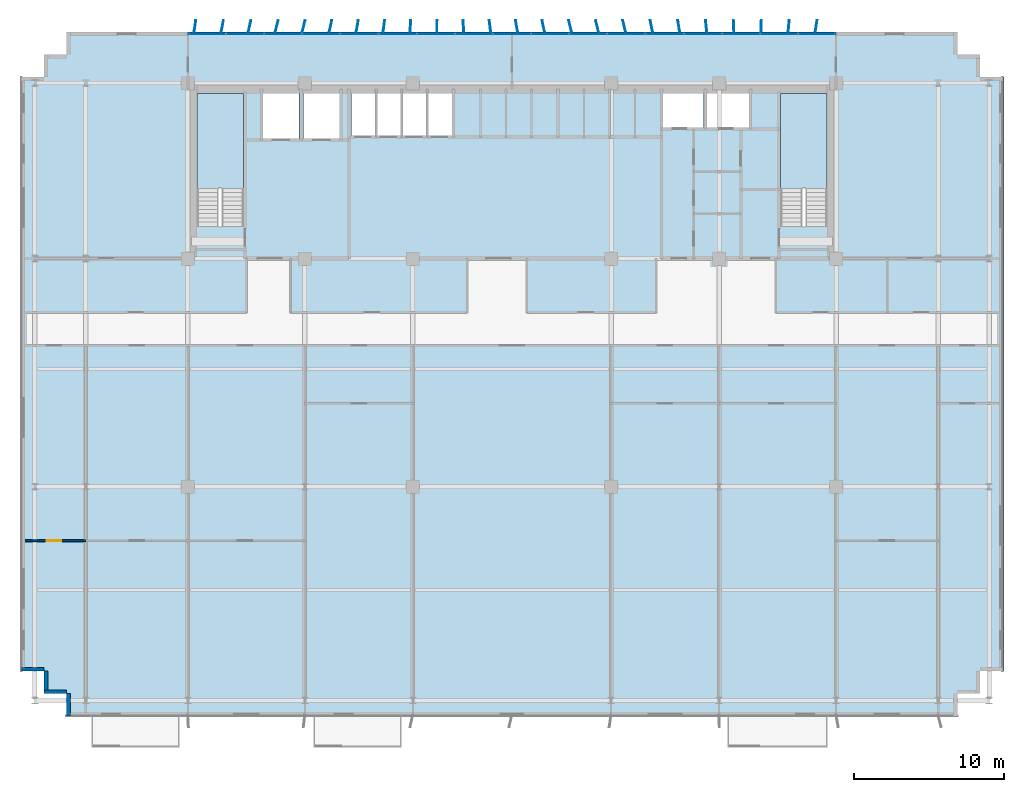
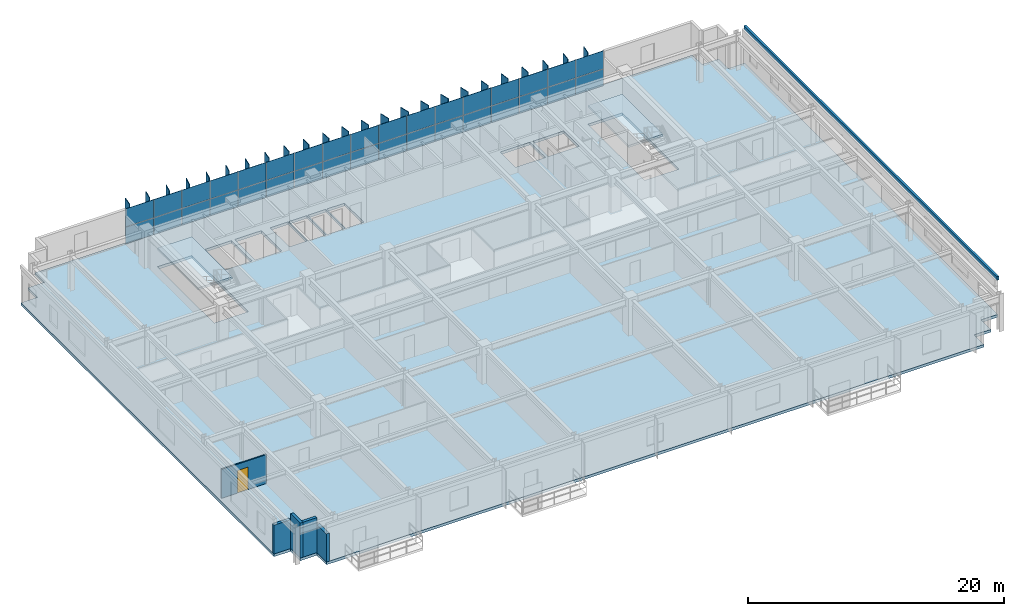
# One storey, part 14 of 21: 59 plates, 5 walls, 3 slabs, 1 door, 1 opening, 3 elements without a shape of their own.
"""IFC4 building model written with IfcOpenShell, lengths in metres."""

from ifc_helpers import new_model, si_unit, direction, frame, frame_2d, origin, origin_2d, place, context, subcontext, project, spatial, polyline, rectangle, outline, extrude, source, transform, mapped, material, layer, layer_set, type_object, element, fill, aggregate, save


model = new_model("IFC4")

# Units and contexts
model_context = context("Model", 3, precision=1e-05, world=origin(), true_north=direction((0.0, 1.0)))
body_context = subcontext(model_context, "Body", "Model", "MODEL_VIEW")
ifc_project = project(units=[si_unit("LENGTHUNIT", "METRE"), si_unit("AREAUNIT", "SQUARE_METRE"), si_unit("VOLUMEUNIT", "CUBIC_METRE"), si_unit("PLANEANGLEUNIT", "RADIAN"), si_unit("MASSUNIT", "GRAM", prefix="KILO")], contexts=[model_context])

# Site, building, storey
site_placement = place(None, origin())
site = spatial("IfcSite", under=ifc_project, at=site_placement, CompositionType="ELEMENT")
building_placement = place(site_placement, origin())
building = spatial("IfcBuilding", under=site, at=building_placement, Name="Trelvane Seafront Commons", CompositionType="ELEMENT")
storey_placement = place(building_placement, frame((0.0, 0.0, 34.300048828125)))
storey = spatial("IfcBuildingStorey", under=building, at=storey_placement, Name="L08", CompositionType="ELEMENT", Elevation=34.300048828125)

# Stair, slab
ifc_material_1 = material(Name="Concrete C40/50", Category="concrete")
stair_type_1 = type_object("IfcStairType", Name="ARCH-STR-ST-1-R20-180", PredefinedType="HALF_TURN_STAIR", material=ifc_material_1)
stair_1_placement = place(storey_placement, origin())
stair_1 = element("IfcStair", 1, at=stair_1_placement, inside=storey, type_object=stair_type_1, Name="L08 West Protected Firefighting Exit Stair ST-1", PredefinedType="HALF_TURN_STAIR")
ifc_layer_1 = layer(ifc_material_1, 0.199951171875, Name="ARCH-LND-200")
ifc_layer_set_1 = layer_set([ifc_layer_1], Name="Concrete C40/50")
slab_type_1 = type_object("IfcSlabType", Name="ARCH-LND-200", PredefinedType="LANDING", material=ifc_layer_set_1)
slab_1_placement = place(storey_placement, frame((0.0, 0.0, 1.599853515625)))
slab_1 = element("IfcSlab", 2, at=slab_1_placement, type_object=slab_type_1, Name="ST-1 landing 1", PredefinedType="LANDING", context=body_context, shape_type="SweptSolid", body=[
    extrude(outline(polyline([(19.300048828125, 38.070068359375), (19.300048828125, 44.39990234375), (16.199951171875, 44.39990234375), (16.199951171875, 38.070068359375), (19.300048828125, 38.070068359375)])), origin(), (0.0, 0.0, 1.0), 0.2001953125),
])
aggregate(stair_1, [slab_1])

stair_type_2 = type_object("IfcStairType", Name="ARCH-STR-ST-2-R20-180", PredefinedType="HALF_TURN_STAIR", material=ifc_material_1)
stair_2_placement = place(storey_placement, origin())
stair_2 = element("IfcStair", 3, at=stair_2_placement, inside=storey, type_object=stair_type_2, Name="L08 East Protected Firefighting Exit Stair ST-2", PredefinedType="HALF_TURN_STAIR")
slab_2_placement = place(storey_placement, frame((0.0, 0.0, 1.599853515625)))
slab_2 = element("IfcSlab", 4, at=slab_2_placement, type_object=slab_type_1, Name="ST-2 landing 1", PredefinedType="LANDING", context=body_context, shape_type="SweptSolid", body=[
    extrude(outline(polyline([(58.199951171875, 38.070068359375), (58.199951171875, 44.39990234375), (55.10009765625, 44.39990234375), (55.10009765625, 38.070068359375), (58.199951171875, 38.070068359375)])), origin(), (0.0, 0.0, 1.0), 0.2001953125),
])
aggregate(stair_2, [slab_2])

# Slab
ifc_material_2 = material(Name="Concrete C50/60", Category="concrete")
ifc_layer_2 = layer(ifc_material_2, 0.260009765625, Name="STR-SLB-Z1-260")
ifc_layer_set_2 = layer_set([ifc_layer_2], Name="Concrete C50/60")
slab_type_2 = type_object("IfcSlabType", Name="STR-SLB-Z1-260", PredefinedType="FLOOR", material=ifc_layer_set_2)
slab_3_placement = place(storey_placement, frame((0.0, 0.0, -0.260009765625)))
element("IfcSlab", 5, at=slab_3_placement, inside=storey, type_object=slab_type_2, Name="L08 Structural Floor Slab", PredefinedType="FLOOR", context=body_context, shape_type="SweptSolid", body=[
    extrude(outline(polyline([(7.5, 2.89990234375), (66.89990234375, 2.89990234375), (66.89990234375, 4.39990234375), (68.39990234375, 4.39990234375), (68.39990234375, 5.89990234375), (69.89990234375, 5.89990234375), (69.89990234375, 45.5), (68.39990234375, 45.5), (68.39990234375, 47.0), (66.89990234375, 47.0), (66.89990234375, 48.5), (7.5, 48.5), (7.5, 47.0), (6.0, 47.0), (6.0, 45.5), (4.5, 45.5), (4.5, 5.89990234375), (6.0, 5.89990234375), (6.0, 4.39990234375), (7.5, 4.39990234375), (7.5, 2.89990234375)]), holes=[polyline([(19.300048828125, 35.550048828125), (16.199951171875, 35.550048828125), (16.199951171875, 44.39990234375), (19.300048828125, 44.39990234375), (19.300048828125, 35.550048828125)]), polyline([(58.199951171875, 35.550048828125), (55.10009765625, 35.550048828125), (55.10009765625, 44.39990234375), (58.199951171875, 44.39990234375), (58.199951171875, 35.550048828125)]), polyline([(23.0, 41.39990234375), (20.60009765625, 41.39990234375), (20.60009765625, 44.60009765625), (23.0, 44.60009765625), (23.0, 41.39990234375)]), polyline([(23.300048828125, 41.39990234375), (23.300048828125, 44.60009765625), (25.699951171875, 44.60009765625), (25.699951171875, 41.39990234375), (23.300048828125, 41.39990234375)]), polyline([(26.5, 41.60009765625), (26.5, 44.60009765625), (28.1201171875, 44.60009765625), (28.1201171875, 41.60009765625), (26.5, 41.60009765625)]), polyline([(29.820068359375, 41.60009765625), (28.199951171875, 41.60009765625), (28.199951171875, 44.60009765625), (29.820068359375, 44.60009765625), (29.820068359375, 41.60009765625)]), polyline([(31.52001953125, 41.60009765625), (29.89990234375, 41.60009765625), (29.89990234375, 44.60009765625), (31.52001953125, 44.60009765625), (31.52001953125, 41.60009765625)]), polyline([(33.219970703125, 41.60009765625), (31.60009765625, 41.60009765625), (31.60009765625, 44.60009765625), (33.219970703125, 44.60009765625), (33.219970703125, 41.60009765625)]), polyline([(47.25, 42.14990234375), (47.25, 44.550048828125), (49.949951171875, 44.550048828125), (49.949951171875, 42.14990234375), (47.25, 42.14990234375)]), polyline([(50.199951171875, 42.14990234375), (50.199951171875, 44.550048828125), (53.0, 44.550048828125), (53.0, 42.14990234375), (50.199951171875, 42.14990234375)])]), origin(), (0.0, 0.0, 1.0), 0.260009765625),
])

# Curtain wall, plates
ifc_material_3 = material(Name="Anodised pale-silver aluminium", Category="aluminium")
curtain_wall_type = type_object("IfcCurtainWallType", Name="ARCH-CW2-LOWTOWER", PredefinedType="NOTDEFINED", material=ifc_material_3)
curtain_wall_placement = place(storey_placement, origin())
curtain_wall = element("IfcCurtainWall", 6, at=curtain_wall_placement, inside=storey, type_object=curtain_wall_type, Name="CW-L08-0032", PredefinedType="NOTDEFINED")
ifc_material_4 = material(Name="Low-E coastal double glazing", Category="glass")
ifc_layer_3 = layer(ifc_material_4, 0.033935546875, Name="ARCH-CW-GLAZ-34")
ifc_layer_set_3 = layer_set([ifc_layer_3], Name="Low-E coastal double glazing")
plate_type_1 = type_object("IfcPlateType", Name="ARCH-CW-GLAZ-34", PredefinedType="CURTAIN_PANEL", material=ifc_layer_set_3)
shared_shape_1 = source(origin(), body_context, "Body", "SweptSolid", [
    extrude(rectangle(XDim=2.51708984375, YDim=0.031982421875, at=origin_2d()), origin(), (0.0, 0.0, 1.0), 1.5849609375),
])
plate_1_placement = place(storey_placement, frame((16.87060546875, 48.3701171875, 0.0), z_axis=(0.0, 0.0, 1.0), x_axis=(1.0, 0.0, 0.0)))
plate_1 = element("IfcPlate", 7, at=plate_1_placement, type_object=plate_type_1, Name="CW-L08-0032-P00-1", PredefinedType="CURTAIN_PANEL", context=body_context, shape_type="MappedRepresentation", body=[
    mapped(shared_shape_1, transform((0.0, 0.0, 0.0), x_axis=(1.0, 0.0, 0.0), y_axis=(0.0, 1.0, 0.0), z_axis=(0.0, 0.0, 1.0), scale=1.0)),
])
plate_2_placement = place(storey_placement, frame((19.411865234375, 48.3701171875, 0.0), z_axis=(0.0, 0.0, 1.0), x_axis=(1.0, 0.0, 0.0)))
plate_2 = element("IfcPlate", 8, at=plate_2_placement, type_object=plate_type_1, Name="CW-L08-0032-P01-1", PredefinedType="CURTAIN_PANEL", context=body_context, shape_type="MappedRepresentation", body=[
    mapped(shared_shape_1, transform((0.0, 0.0, 0.0), x_axis=(1.0, 0.0, 0.0), y_axis=(0.0, 1.0, 0.0), z_axis=(0.0, 0.0, 1.0), scale=1.0)),
])
plate_3_placement = place(storey_placement, frame((21.952880859375, 48.3701171875, 0.0), z_axis=(0.0, 0.0, 1.0), x_axis=(1.0, 0.0, 0.0)))
plate_3 = element("IfcPlate", 9, at=plate_3_placement, type_object=plate_type_1, Name="CW-L08-0032-P02-1", PredefinedType="CURTAIN_PANEL", context=body_context, shape_type="MappedRepresentation", body=[
    mapped(shared_shape_1, transform((0.0, 0.0, 0.0), x_axis=(1.0, 0.0, 0.0), y_axis=(0.0, 1.0, 0.0), z_axis=(0.0, 0.0, 1.0), scale=1.0)),
])
plate_4_placement = place(storey_placement, frame((24.494140625, 48.3701171875, 0.0), z_axis=(0.0, 0.0, 1.0), x_axis=(1.0, 0.0, 0.0)))
plate_4 = element("IfcPlate", 10, at=plate_4_placement, type_object=plate_type_1, Name="CW-L08-0032-P03-1", PredefinedType="CURTAIN_PANEL", context=body_context, shape_type="MappedRepresentation", body=[
    mapped(shared_shape_1, transform((0.0, 0.0, 0.0), x_axis=(1.0, 0.0, 0.0), y_axis=(0.0, 1.0, 0.0), z_axis=(0.0, 0.0, 1.0), scale=1.0)),
])
plate_5_placement = place(storey_placement, frame((27.035400390625, 48.3701171875, 0.0), z_axis=(0.0, 0.0, 1.0), x_axis=(1.0, 0.0, 0.0)))
plate_5 = element("IfcPlate", 11, at=plate_5_placement, type_object=plate_type_1, Name="CW-L08-0032-P04-1", PredefinedType="CURTAIN_PANEL", context=body_context, shape_type="MappedRepresentation", body=[
    mapped(shared_shape_1, transform((0.0, 0.0, 0.0), x_axis=(1.0, 0.0, 0.0), y_axis=(0.0, 1.0, 0.0), z_axis=(0.0, 0.0, 1.0), scale=1.0)),
])
plate_6_placement = place(storey_placement, frame((29.576416015625, 48.3701171875, 0.0), z_axis=(0.0, 0.0, 1.0), x_axis=(1.0, 0.0, 0.0)))
plate_6 = element("IfcPlate", 12, at=plate_6_placement, type_object=plate_type_1, Name="CW-L08-0032-P05-1", PredefinedType="CURTAIN_PANEL", context=body_context, shape_type="MappedRepresentation", body=[
    mapped(shared_shape_1, transform((0.0, 0.0, 0.0), x_axis=(1.0, 0.0, 0.0), y_axis=(0.0, 1.0, 0.0), z_axis=(0.0, 0.0, 1.0), scale=1.0)),
])
plate_7_placement = place(storey_placement, frame((32.11767578125, 48.3701171875, 0.0), z_axis=(0.0, 0.0, 1.0), x_axis=(1.0, 0.0, 0.0)))
plate_7 = element("IfcPlate", 13, at=plate_7_placement, type_object=plate_type_1, Name="CW-L08-0032-P06-1", PredefinedType="CURTAIN_PANEL", context=body_context, shape_type="MappedRepresentation", body=[
    mapped(shared_shape_1, transform((0.0, 0.0, 0.0), x_axis=(1.0, 0.0, 0.0), y_axis=(0.0, 1.0, 0.0), z_axis=(0.0, 0.0, 1.0), scale=1.0)),
])
plate_8_placement = place(storey_placement, frame((34.65869140625, 48.3701171875, 0.0), z_axis=(0.0, 0.0, 1.0), x_axis=(1.0, 0.0, 0.0)))
plate_8 = element("IfcPlate", 14, at=plate_8_placement, type_object=plate_type_1, Name="CW-L08-0032-P07-1", PredefinedType="CURTAIN_PANEL", context=body_context, shape_type="MappedRepresentation", body=[
    mapped(shared_shape_1, transform((0.0, 0.0, 0.0), x_axis=(1.0, 0.0, 0.0), y_axis=(0.0, 1.0, 0.0), z_axis=(0.0, 0.0, 1.0), scale=1.0)),
])
plate_9_placement = place(storey_placement, frame((37.199951171875, 48.3701171875, 0.0), z_axis=(0.0, 0.0, 1.0), x_axis=(1.0, 0.0, 0.0)))
plate_9 = element("IfcPlate", 15, at=plate_9_placement, type_object=plate_type_1, Name="CW-L08-0032-P08-1", PredefinedType="CURTAIN_PANEL", context=body_context, shape_type="MappedRepresentation", body=[
    mapped(shared_shape_1, transform((0.0, 0.0, 0.0), x_axis=(1.0, 0.0, 0.0), y_axis=(0.0, 1.0, 0.0), z_axis=(0.0, 0.0, 1.0), scale=1.0)),
])
plate_10_placement = place(storey_placement, frame((39.7412109375, 48.3701171875, 0.0), z_axis=(0.0, 0.0, 1.0), x_axis=(1.0, 0.0, 0.0)))
plate_10 = element("IfcPlate", 16, at=plate_10_placement, type_object=plate_type_1, Name="CW-L08-0032-P09-1", PredefinedType="CURTAIN_PANEL", context=body_context, shape_type="MappedRepresentation", body=[
    mapped(shared_shape_1, transform((0.0, 0.0, 0.0), x_axis=(1.0, 0.0, 0.0), y_axis=(0.0, 1.0, 0.0), z_axis=(0.0, 0.0, 1.0), scale=1.0)),
])
plate_11_placement = place(storey_placement, frame((42.282470703125, 48.3701171875, 0.0), z_axis=(0.0, 0.0, 1.0), x_axis=(1.0, 0.0, 0.0)))
plate_11 = element("IfcPlate", 17, at=plate_11_placement, type_object=plate_type_1, Name="CW-L08-0032-P10-1", PredefinedType="CURTAIN_PANEL", context=body_context, shape_type="MappedRepresentation", body=[
    mapped(shared_shape_1, transform((0.0, 0.0, 0.0), x_axis=(1.0, 0.0, 0.0), y_axis=(0.0, 1.0, 0.0), z_axis=(0.0, 0.0, 1.0), scale=1.0)),
])
plate_12_placement = place(storey_placement, frame((44.823486328125, 48.3701171875, 0.0), z_axis=(0.0, 0.0, 1.0), x_axis=(1.0, 0.0, 0.0)))
plate_12 = element("IfcPlate", 18, at=plate_12_placement, type_object=plate_type_1, Name="CW-L08-0032-P11-1", PredefinedType="CURTAIN_PANEL", context=body_context, shape_type="MappedRepresentation", body=[
    mapped(shared_shape_1, transform((0.0, 0.0, 0.0), x_axis=(1.0, 0.0, 0.0), y_axis=(0.0, 1.0, 0.0), z_axis=(0.0, 0.0, 1.0), scale=1.0)),
])
plate_13_placement = place(storey_placement, frame((47.36474609375, 48.3701171875, 0.0), z_axis=(0.0, 0.0, 1.0), x_axis=(1.0, 0.0, 0.0)))
plate_13 = element("IfcPlate", 19, at=plate_13_placement, type_object=plate_type_1, Name="CW-L08-0032-P12-1", PredefinedType="CURTAIN_PANEL", context=body_context, shape_type="MappedRepresentation", body=[
    mapped(shared_shape_1, transform((0.0, 0.0, 0.0), x_axis=(1.0, 0.0, 0.0), y_axis=(0.0, 1.0, 0.0), z_axis=(0.0, 0.0, 1.0), scale=1.0)),
])
plate_14_placement = place(storey_placement, frame((49.906005859375, 48.3701171875, 0.0), z_axis=(0.0, 0.0, 1.0), x_axis=(1.0, 0.0, 0.0)))
plate_14 = element("IfcPlate", 20, at=plate_14_placement, type_object=plate_type_1, Name="CW-L08-0032-P13-1", PredefinedType="CURTAIN_PANEL", context=body_context, shape_type="MappedRepresentation", body=[
    mapped(shared_shape_1, transform((0.0, 0.0, 0.0), x_axis=(1.0, 0.0, 0.0), y_axis=(0.0, 1.0, 0.0), z_axis=(0.0, 0.0, 1.0), scale=1.0)),
])
plate_15_placement = place(storey_placement, frame((52.447021484375, 48.3701171875, 0.0), z_axis=(0.0, 0.0, 1.0), x_axis=(1.0, 0.0, 0.0)))
plate_15 = element("IfcPlate", 21, at=plate_15_placement, type_object=plate_type_1, Name="CW-L08-0032-P14-1", PredefinedType="CURTAIN_PANEL", context=body_context, shape_type="MappedRepresentation", body=[
    mapped(shared_shape_1, transform((0.0, 0.0, 0.0), x_axis=(1.0, 0.0, 0.0), y_axis=(0.0, 1.0, 0.0), z_axis=(0.0, 0.0, 1.0), scale=1.0)),
])
plate_16_placement = place(storey_placement, frame((54.98828125, 48.3701171875, 0.0), z_axis=(0.0, 0.0, 1.0), x_axis=(1.0, 0.0, 0.0)))
plate_16 = element("IfcPlate", 22, at=plate_16_placement, type_object=plate_type_1, Name="CW-L08-0032-P15-1", PredefinedType="CURTAIN_PANEL", context=body_context, shape_type="MappedRepresentation", body=[
    mapped(shared_shape_1, transform((0.0, 0.0, 0.0), x_axis=(1.0, 0.0, 0.0), y_axis=(0.0, 1.0, 0.0), z_axis=(0.0, 0.0, 1.0), scale=1.0)),
])
plate_17_placement = place(storey_placement, frame((57.529296875, 48.3701171875, 0.0), z_axis=(0.0, 0.0, 1.0), x_axis=(1.0, 0.0, 0.0)))
plate_17 = element("IfcPlate", 23, at=plate_17_placement, type_object=plate_type_1, Name="CW-L08-0032-P16-1", PredefinedType="CURTAIN_PANEL", context=body_context, shape_type="MappedRepresentation", body=[
    mapped(shared_shape_1, transform((0.0, 0.0, 0.0), x_axis=(1.0, 0.0, 0.0), y_axis=(0.0, 1.0, 0.0), z_axis=(0.0, 0.0, 1.0), scale=1.0)),
])
shared_shape_2 = source(origin(), body_context, "Body", "SweptSolid", [
    extrude(rectangle(XDim=2.51708984375, YDim=0.031982421875, at=origin_2d()), origin(), (0.0, 0.0, 1.0), 1.718994140625),
])
plate_18_placement = place(storey_placement, frame((16.87060546875, 48.3701171875, 1.62109375), z_axis=(0.0, 0.0, 1.0), x_axis=(1.0, 0.0, 0.0)))
plate_18 = element("IfcPlate", 24, at=plate_18_placement, type_object=plate_type_1, Name="CW-L08-0032-P00-2", PredefinedType="CURTAIN_PANEL", context=body_context, shape_type="MappedRepresentation", body=[
    mapped(shared_shape_2, transform((0.0, 0.0, 0.0), x_axis=(1.0, 0.0, 0.0), y_axis=(0.0, 1.0, 0.0), z_axis=(0.0, 0.0, 1.0), scale=1.0)),
])
plate_19_placement = place(storey_placement, frame((19.411865234375, 48.3701171875, 1.62109375), z_axis=(0.0, 0.0, 1.0), x_axis=(1.0, 0.0, 0.0)))
plate_19 = element("IfcPlate", 25, at=plate_19_placement, type_object=plate_type_1, Name="CW-L08-0032-P01-2", PredefinedType="CURTAIN_PANEL", context=body_context, shape_type="MappedRepresentation", body=[
    mapped(shared_shape_2, transform((0.0, 0.0, 0.0), x_axis=(1.0, 0.0, 0.0), y_axis=(0.0, 1.0, 0.0), z_axis=(0.0, 0.0, 1.0), scale=1.0)),
])
plate_20_placement = place(storey_placement, frame((21.952880859375, 48.3701171875, 1.62109375), z_axis=(0.0, 0.0, 1.0), x_axis=(1.0, 0.0, 0.0)))
plate_20 = element("IfcPlate", 26, at=plate_20_placement, type_object=plate_type_1, Name="CW-L08-0032-P02-2", PredefinedType="CURTAIN_PANEL", context=body_context, shape_type="MappedRepresentation", body=[
    mapped(shared_shape_2, transform((0.0, 0.0, 0.0), x_axis=(1.0, 0.0, 0.0), y_axis=(0.0, 1.0, 0.0), z_axis=(0.0, 0.0, 1.0), scale=1.0)),
])
plate_21_placement = place(storey_placement, frame((24.494140625, 48.3701171875, 1.62109375), z_axis=(0.0, 0.0, 1.0), x_axis=(1.0, 0.0, 0.0)))
plate_21 = element("IfcPlate", 27, at=plate_21_placement, type_object=plate_type_1, Name="CW-L08-0032-P03-2", PredefinedType="CURTAIN_PANEL", context=body_context, shape_type="MappedRepresentation", body=[
    mapped(shared_shape_2, transform((0.0, 0.0, 0.0), x_axis=(1.0, 0.0, 0.0), y_axis=(0.0, 1.0, 0.0), z_axis=(0.0, 0.0, 1.0), scale=1.0)),
])
plate_22_placement = place(storey_placement, frame((27.035400390625, 48.3701171875, 1.62109375), z_axis=(0.0, 0.0, 1.0), x_axis=(1.0, 0.0, 0.0)))
plate_22 = element("IfcPlate", 28, at=plate_22_placement, type_object=plate_type_1, Name="CW-L08-0032-P04-2", PredefinedType="CURTAIN_PANEL", context=body_context, shape_type="MappedRepresentation", body=[
    mapped(shared_shape_2, transform((0.0, 0.0, 0.0), x_axis=(1.0, 0.0, 0.0), y_axis=(0.0, 1.0, 0.0), z_axis=(0.0, 0.0, 1.0), scale=1.0)),
])
plate_23_placement = place(storey_placement, frame((29.576416015625, 48.3701171875, 1.62109375), z_axis=(0.0, 0.0, 1.0), x_axis=(1.0, 0.0, 0.0)))
plate_23 = element("IfcPlate", 29, at=plate_23_placement, type_object=plate_type_1, Name="CW-L08-0032-P05-2", PredefinedType="CURTAIN_PANEL", context=body_context, shape_type="MappedRepresentation", body=[
    mapped(shared_shape_2, transform((0.0, 0.0, 0.0), x_axis=(1.0, 0.0, 0.0), y_axis=(0.0, 1.0, 0.0), z_axis=(0.0, 0.0, 1.0), scale=1.0)),
])
plate_24_placement = place(storey_placement, frame((32.11767578125, 48.3701171875, 1.62109375), z_axis=(0.0, 0.0, 1.0), x_axis=(1.0, 0.0, 0.0)))
plate_24 = element("IfcPlate", 30, at=plate_24_placement, type_object=plate_type_1, Name="CW-L08-0032-P06-2", PredefinedType="CURTAIN_PANEL", context=body_context, shape_type="MappedRepresentation", body=[
    mapped(shared_shape_2, transform((0.0, 0.0, 0.0), x_axis=(1.0, 0.0, 0.0), y_axis=(0.0, 1.0, 0.0), z_axis=(0.0, 0.0, 1.0), scale=1.0)),
])
plate_25_placement = place(storey_placement, frame((34.65869140625, 48.3701171875, 1.62109375), z_axis=(0.0, 0.0, 1.0), x_axis=(1.0, 0.0, 0.0)))
plate_25 = element("IfcPlate", 31, at=plate_25_placement, type_object=plate_type_1, Name="CW-L08-0032-P07-2", PredefinedType="CURTAIN_PANEL", context=body_context, shape_type="MappedRepresentation", body=[
    mapped(shared_shape_2, transform((0.0, 0.0, 0.0), x_axis=(1.0, 0.0, 0.0), y_axis=(0.0, 1.0, 0.0), z_axis=(0.0, 0.0, 1.0), scale=1.0)),
])
plate_26_placement = place(storey_placement, frame((37.199951171875, 48.3701171875, 1.62109375), z_axis=(0.0, 0.0, 1.0), x_axis=(1.0, 0.0, 0.0)))
plate_26 = element("IfcPlate", 32, at=plate_26_placement, type_object=plate_type_1, Name="CW-L08-0032-P08-2", PredefinedType="CURTAIN_PANEL", context=body_context, shape_type="MappedRepresentation", body=[
    mapped(shared_shape_2, transform((0.0, 0.0, 0.0), x_axis=(1.0, 0.0, 0.0), y_axis=(0.0, 1.0, 0.0), z_axis=(0.0, 0.0, 1.0), scale=1.0)),
])
plate_27_placement = place(storey_placement, frame((39.7412109375, 48.3701171875, 1.62109375), z_axis=(0.0, 0.0, 1.0), x_axis=(1.0, 0.0, 0.0)))
plate_27 = element("IfcPlate", 33, at=plate_27_placement, type_object=plate_type_1, Name="CW-L08-0032-P09-2", PredefinedType="CURTAIN_PANEL", context=body_context, shape_type="MappedRepresentation", body=[
    mapped(shared_shape_2, transform((0.0, 0.0, 0.0), x_axis=(1.0, 0.0, 0.0), y_axis=(0.0, 1.0, 0.0), z_axis=(0.0, 0.0, 1.0), scale=1.0)),
])
plate_28_placement = place(storey_placement, frame((42.282470703125, 48.3701171875, 1.62109375), z_axis=(0.0, 0.0, 1.0), x_axis=(1.0, 0.0, 0.0)))
plate_28 = element("IfcPlate", 34, at=plate_28_placement, type_object=plate_type_1, Name="CW-L08-0032-P10-2", PredefinedType="CURTAIN_PANEL", context=body_context, shape_type="MappedRepresentation", body=[
    mapped(shared_shape_2, transform((0.0, 0.0, 0.0), x_axis=(1.0, 0.0, 0.0), y_axis=(0.0, 1.0, 0.0), z_axis=(0.0, 0.0, 1.0), scale=1.0)),
])
plate_29_placement = place(storey_placement, frame((44.823486328125, 48.3701171875, 1.62109375), z_axis=(0.0, 0.0, 1.0), x_axis=(1.0, 0.0, 0.0)))
plate_29 = element("IfcPlate", 35, at=plate_29_placement, type_object=plate_type_1, Name="CW-L08-0032-P11-2", PredefinedType="CURTAIN_PANEL", context=body_context, shape_type="MappedRepresentation", body=[
    mapped(shared_shape_2, transform((0.0, 0.0, 0.0), x_axis=(1.0, 0.0, 0.0), y_axis=(0.0, 1.0, 0.0), z_axis=(0.0, 0.0, 1.0), scale=1.0)),
])
plate_30_placement = place(storey_placement, frame((47.36474609375, 48.3701171875, 1.62109375), z_axis=(0.0, 0.0, 1.0), x_axis=(1.0, 0.0, 0.0)))
plate_30 = element("IfcPlate", 36, at=plate_30_placement, type_object=plate_type_1, Name="CW-L08-0032-P12-2", PredefinedType="CURTAIN_PANEL", context=body_context, shape_type="MappedRepresentation", body=[
    mapped(shared_shape_2, transform((0.0, 0.0, 0.0), x_axis=(1.0, 0.0, 0.0), y_axis=(0.0, 1.0, 0.0), z_axis=(0.0, 0.0, 1.0), scale=1.0)),
])
plate_31_placement = place(storey_placement, frame((49.906005859375, 48.3701171875, 1.62109375), z_axis=(0.0, 0.0, 1.0), x_axis=(1.0, 0.0, 0.0)))
plate_31 = element("IfcPlate", 37, at=plate_31_placement, type_object=plate_type_1, Name="CW-L08-0032-P13-2", PredefinedType="CURTAIN_PANEL", context=body_context, shape_type="MappedRepresentation", body=[
    mapped(shared_shape_2, transform((0.0, 0.0, 0.0), x_axis=(1.0, 0.0, 0.0), y_axis=(0.0, 1.0, 0.0), z_axis=(0.0, 0.0, 1.0), scale=1.0)),
])
plate_32_placement = place(storey_placement, frame((52.447021484375, 48.3701171875, 1.62109375), z_axis=(0.0, 0.0, 1.0), x_axis=(1.0, 0.0, 0.0)))
plate_32 = element("IfcPlate", 38, at=plate_32_placement, type_object=plate_type_1, Name="CW-L08-0032-P14-2", PredefinedType="CURTAIN_PANEL", context=body_context, shape_type="MappedRepresentation", body=[
    mapped(shared_shape_2, transform((0.0, 0.0, 0.0), x_axis=(1.0, 0.0, 0.0), y_axis=(0.0, 1.0, 0.0), z_axis=(0.0, 0.0, 1.0), scale=1.0)),
])
plate_33_placement = place(storey_placement, frame((54.98828125, 48.3701171875, 1.62109375), z_axis=(0.0, 0.0, 1.0), x_axis=(1.0, 0.0, 0.0)))
plate_33 = element("IfcPlate", 39, at=plate_33_placement, type_object=plate_type_1, Name="CW-L08-0032-P15-2", PredefinedType="CURTAIN_PANEL", context=body_context, shape_type="MappedRepresentation", body=[
    mapped(shared_shape_2, transform((0.0, 0.0, 0.0), x_axis=(1.0, 0.0, 0.0), y_axis=(0.0, 1.0, 0.0), z_axis=(0.0, 0.0, 1.0), scale=1.0)),
])
plate_34_placement = place(storey_placement, frame((57.529296875, 48.3701171875, 1.62109375), z_axis=(0.0, 0.0, 1.0), x_axis=(1.0, 0.0, 0.0)))
plate_34 = element("IfcPlate", 40, at=plate_34_placement, type_object=plate_type_1, Name="CW-L08-0032-P16-2", PredefinedType="CURTAIN_PANEL", context=body_context, shape_type="MappedRepresentation", body=[
    mapped(shared_shape_2, transform((0.0, 0.0, 0.0), x_axis=(1.0, 0.0, 0.0), y_axis=(0.0, 1.0, 0.0), z_axis=(0.0, 0.0, 1.0), scale=1.0)),
])
aggregate(curtain_wall, [plate_1, plate_18, plate_2, plate_19, plate_3, plate_20, plate_4, plate_21, plate_5, plate_22, plate_6, plate_23, plate_7, plate_24, plate_8, plate_25, plate_9, plate_26, plate_10, plate_27, plate_11, plate_28, plate_12, plate_29, plate_13, plate_30, plate_14, plate_31, plate_15, plate_32, plate_16, plate_33, plate_17, plate_34])

# Plates
ifc_layer_4 = layer(ifc_material_3, 0.06005859375, Name="ARCH-PLATE-FIN900")
ifc_layer_set_4 = layer_set([ifc_layer_4], Name="Anodised pale-silver aluminium")
plate_type_2 = type_object("IfcPlateType", Name="ARCH-PLATE-FIN900", PredefinedType="USERDEFINED", material=ifc_layer_set_4)
shared_shape_3 = source(origin(), body_context, "Body", "SweptSolid", [
    extrude(rectangle(XDim=0.89990234375, YDim=0.06005859375, at=origin_2d()), origin(), (0.0, 0.0, 1.0), 3.639892578125),
])
for number, where, z_axis, x_axis, name in (
    (41, (16.067138671875, 48.844970703125, -0.02001953125), (0.0, 0.0, 1.0), (0.149226434878, 0.988803049719, 0.0), "FIN-L08-00100"),
    (42, (17.8876953125, 48.84130859375, -0.02001953125), (0.0, 0.0, 1.0), (0.195112575278, 0.980780853692, 0.0), "FIN-L08-00101"),
    (43, (19.701904296875, 48.83837890625, -0.02001953125), (0.0, 0.0, 1.0), (0.226343612649, 0.974047518868, 0.0), "FIN-L08-00102"),
    (44, (21.50830078125, 48.836669921875, -0.02001953125), (0.0, 0.0, 1.0), (0.240888732524, 0.970552738672, 0.0), "FIN-L08-00103"),
    (45, (23.30712890625, 48.8369140625, -0.02001953125), (0.0, 0.0, 1.0), (0.238009683654, 0.971262781376, 0.0), "FIN-L08-00104"),
    (46, (25.097900390625, 48.839111328125, -0.02001953125), (0.0, 0.0, 1.0), (0.21767140291, 0.976022110587, 0.0), "FIN-L08-00105"),
    (47, (26.881591796875, 48.842529296875, -0.02001953125), (0.0, 0.0, 1.0), (0.181329345565, 0.983422426243, 0.0), "FIN-L08-00106"),
    (48, (28.6591796875, 48.84619140625, -0.02001953125), (0.0, 0.0, 1.0), (0.131334244508, 0.991338144237, 0.0), "FIN-L08-00107"),
    (49, (30.431884765625, 48.848876953125, -0.02001953125), (0.0, 0.0, 1.0), (0.071224126228, 0.997460336977, 0.0), "FIN-L08-00108"),
    (50, (32.202392578125, 48.85009765625, -0.02001953125), (0.0, 0.0, 1.0), (0.005555354434, 0.999984568899, 0.0), "FIN-L08-00109"),
    (51, (33.972900390625, 48.84912109375, -0.02001953125), (0.0, 0.0, 1.0), (-0.06044054447, 0.998171799133, 0.0), "FIN-L08-00110"),
    (52, (35.7451171875, 48.8466796875, -0.02001953125), (0.0, 0.0, 1.0), (-0.121777529933, 0.992557420608, 0.0), "FIN-L08-00111"),
    (53, (37.521728515625, 48.843017578125, -0.02001953125), (0.0, 0.0, 1.0), (-0.173778805986, 0.984784710782, 0.0), "FIN-L08-00112"),
    (54, (39.30419921875, 48.839599609375, -0.02001953125), (0.0, 0.0, 1.0), (-0.212668855262, 0.977124330882, 0.0), "FIN-L08-00113"),
    (55, (41.093994140625, 48.83740234375, -0.02001953125), (0.0, 0.0, 1.0), (-0.235784994167, 0.971805246192, 0.0), "FIN-L08-00114"),
    (56, (42.89111328125, 48.836669921875, -0.02001953125), (0.0, 0.0, 1.0), (-0.24167294527, 0.970357762645, 0.0), "FIN-L08-00115"),
    (57, (44.696533203125, 48.837890625, -0.02001953125), (0.0, 0.0, 1.0), (-0.229993685727, 0.973192121077, 0.0), "FIN-L08-00116"),
    (58, (46.50927734375, 48.8408203125, -0.02001953125), (0.0, 0.0, 1.0), (-0.201433521606, 0.979502188039, 0.0), "FIN-L08-00117"),
    (59, (48.328857421875, 48.84423828125, -0.02001953125), (0.0, 0.0, 1.0), (-0.157890940329, 0.987456556493, 0.0), "FIN-L08-00118"),
    (60, (50.154052734375, 48.84765625, -0.02001953125), (0.0, 0.0, 1.0), (-0.102330727402, 0.994750432133, 0.0), "FIN-L08-00119"),
    (61, (51.982666015625, 48.849609375, -0.02001953125), (0.0, 0.0, 1.0), (-0.038778471731, 0.999247832187, 0.0), "FIN-L08-00120"),
    (62, (53.8125, 48.849853515625, -0.02001953125), (0.0, 0.0, 1.0), (0.027665174438, 0.999617245811, 0.0), "FIN-L08-00121"),
    (63, (55.641357421875, 48.84814453125, -0.02001953125), (0.0, 0.0, 1.0), (0.09199867738, 0.995759129188, 0.0), "FIN-L08-00122"),
    (64, (57.46728515625, 48.844970703125, -0.02001953125), (0.0, 0.0, 1.0), (0.149226434878, 0.988803049719, 0.0), "FIN-L08-00123"),
):
    element("IfcPlate", number, at=place(storey_placement, frame(where, z_axis=z_axis, x_axis=x_axis)), inside=storey, type_object=plate_type_2, Name=name, ObjectType="FIN", PredefinedType="USERDEFINED", context=body_context, shape_type="MappedRepresentation", body=[
        mapped(shared_shape_3, transform((0.0, 0.0, 0.0), x_axis=(1.0, 0.0, 0.0), y_axis=(0.0, 1.0, 0.0), z_axis=(0.0, 0.0, 1.0), scale=1.0)),
    ])
ifc_layer_5 = layer(ifc_material_3, 0.179931640625, Name="ARCH-PLATE-AERO")
ifc_layer_set_5 = layer_set([ifc_layer_5], Name="Anodised pale-silver aluminium")
plate_type_3 = type_object("IfcPlateType", Name="ARCH-PLATE-AERO", PredefinedType="SHEET", material=ifc_layer_set_5)
shared_shape_4 = source(origin(), body_context, "Body", "SweptSolid", [
    extrude(rectangle(XDim=39.60009765625, YDim=0.179931640625, at=origin_2d()), origin(), (0.0, 0.0, 1.0), 0.340087890625),
])
plate_35_placement = place(storey_placement, frame((69.89990234375, 25.699951171875, 3.27978515625), z_axis=(0.0, 0.0, 1.0), x_axis=(0.0, -1.0, 0.0)))
element("IfcPlate", 65, at=plate_35_placement, inside=storey, type_object=plate_type_3, Name="AER-L08-00026", PredefinedType="SHEET", context=body_context, shape_type="MappedRepresentation", body=[
    mapped(shared_shape_4, transform((0.0, 0.0, 0.0), x_axis=(1.0, 0.0, 0.0), y_axis=(0.0, 1.0, 0.0), z_axis=(0.0, 0.0, 1.0), scale=1.0)),
])

# Walls
ifc_material_5 = material(Name="Precast concrete C40/50", Category="concrete")
ifc_layer_6 = layer(ifc_material_5, 0.260009765625, Name="ARCH-WALL-EXT260")
ifc_layer_set_6 = layer_set([ifc_layer_6], Name="Precast concrete C40/50")
wall_type_1 = type_object("IfcWallType", Name="ARCH-WALL-EXT260", PredefinedType="SOLIDWALL", material=ifc_layer_set_6)
for number, where, z_axis, x_axis, name in (
    (66, (7.5, 4.530029296875, 0.0), (0.0, 0.0, 1.0), (-1.0, 0.0, 0.0), "EW-L08-00110"),
    (67, (6.1298828125, 4.39990234375, 0.0), (0.0, 0.0, 1.0), (0.0, 1.0, 0.0), "EW-L08-00111"),
):
    element("IfcWall", number, at=place(storey_placement, frame(where, z_axis=z_axis, x_axis=x_axis)), inside=storey, type_object=wall_type_1, Name=name, PredefinedType="SOLIDWALL", context=body_context, shape_type="SweptSolid", body=[
        extrude(rectangle(XDim=1.5, YDim=0.260009765625, at=frame_2d((0.75, 0.0))), origin(), (0.0, 0.0, 1.0), 3.33984375),
    ])
wall_1_placement = place(storey_placement, frame((6.0, 6.030029296875, 0.0), z_axis=(0.0, 0.0, 1.0), x_axis=(-1.0, 0.0, 0.0)))
element("IfcWall", 68, at=wall_1_placement, inside=storey, type_object=wall_type_1, Name="EW-L08-00112", PredefinedType="SOLIDWALL", context=body_context, shape_type="SweptSolid", body=[
    extrude(rectangle(XDim=1.5, YDim=0.260009765625, at=frame_2d((0.75, 0.0))), origin(), (0.0, 0.0, 1.0), 2.751953125),
])
wall_2_placement = place(storey_placement, frame((7.6298828125, 2.89990234375, 0.0), z_axis=(0.0, 0.0, 1.0), x_axis=(0.0, 1.0, 0.0)))
element("IfcWall", 69, at=wall_2_placement, inside=storey, type_object=wall_type_1, Name="EW-L08-00128", PredefinedType="SOLIDWALL", context=body_context, shape_type="SweptSolid", body=[
    extrude(rectangle(XDim=1.5, YDim=0.260009765625, at=frame_2d((0.75, 0.0))), origin(), (0.0, 0.0, 1.0), 2.68994140625),
])

# Wall, opening, door
ifc_material_6 = material(Name="Gypsum Drywall Acoustic Partition")
ifc_layer_7 = layer(ifc_material_6, 0.1201171875, Name="ARCH-WALL-PART120")
ifc_layer_set_7 = layer_set([ifc_layer_7], Name="Gypsum Drywall Acoustic Partition")
wall_type_2 = type_object("IfcWallType", Name="ARCH-WALL-PART120", PredefinedType="PARTITIONING", material=ifc_layer_set_7)
wall_3_placement = place(storey_placement, frame((4.7451171875, 14.60009765625, 0.0), z_axis=(0.0, 0.0, 1.0), x_axis=(1.0, 0.0, 0.0)))
wall_3 = element("IfcWall", 70, at=wall_3_placement, inside=storey, type_object=wall_type_2, Name="W-L08-U1-DIV-064", PredefinedType="PARTITIONING", context=body_context, shape_type="SweptSolid", body=[
    extrude(rectangle(XDim=4.054931640625, YDim=0.1201171875, at=frame_2d((2.02734375, 0.0))), origin(), (0.0, 0.0, 1.0), 2.751953125),
])
opening_placement = place(wall_3_placement, frame((1.4619140625, 0.0, 0.0)))
opening = element("IfcOpeningElement", 71, at=opening_placement, cuts=wall_3, Name="Opening D-L08-30", PredefinedType="OPENING", context=body_context, shape_type="SweptSolid", body=[
    extrude(rectangle(XDim=0.949951171875, YDim=2.14990234375, at=frame_2d((0.47509765625, 1.074951171875))), frame((0.0, 0.070068359375, 0.0), z_axis=(0.0, -1.0, 0.0), x_axis=(1.0, 0.0, 0.0)), (0.0, 0.0, 1.0), 0.14013671875),
])
ifc_material_7 = material(Name="Acoustic timber door leaf", Category="wood")
door_type = type_object("IfcDoorType", Name="ARCH-DR-INT950", OperationType="NOTDEFINED", PredefinedType="DOOR", material=ifc_material_7)
shared_shape_5 = source(origin(), body_context, "Body", "SweptSolid", [
    extrude(rectangle(XDim=0.949951171875, YDim=2.14990234375, at=frame_2d((0.47509765625, 1.074951171875))), frame((0.0, 0.02490234375, 0.0), z_axis=(0.0, -1.0, 0.0), x_axis=(1.0, 0.0, 0.0)), (0.0, 0.0, 1.0), 0.050048828125),
])
door_placement = place(opening_placement, origin())
door = element("IfcDoor", 72, at=door_placement, inside=storey, type_object=door_type, Name="L08 Door 30", OperationType="SINGLE_SWING_RIGHT", OverallHeight=2.14990234375, OverallWidth=0.949951171875, PredefinedType="DOOR", context=body_context, shape_type="MappedRepresentation", body=[
    mapped(shared_shape_5, transform((0.0, 0.0, 0.0), x_axis=(1.0, 0.0, 0.0), y_axis=(0.0, 1.0, 0.0), z_axis=(0.0, 0.0, 1.0), scale=1.0)),
])
fill(opening, door)

save(model, "model.ifc")
